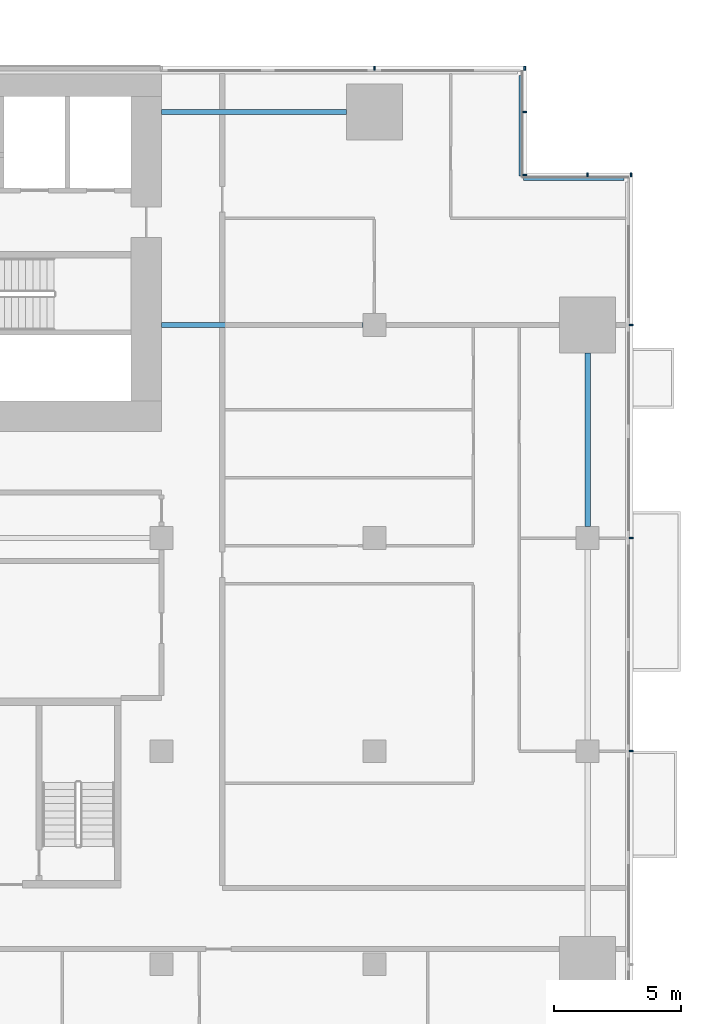
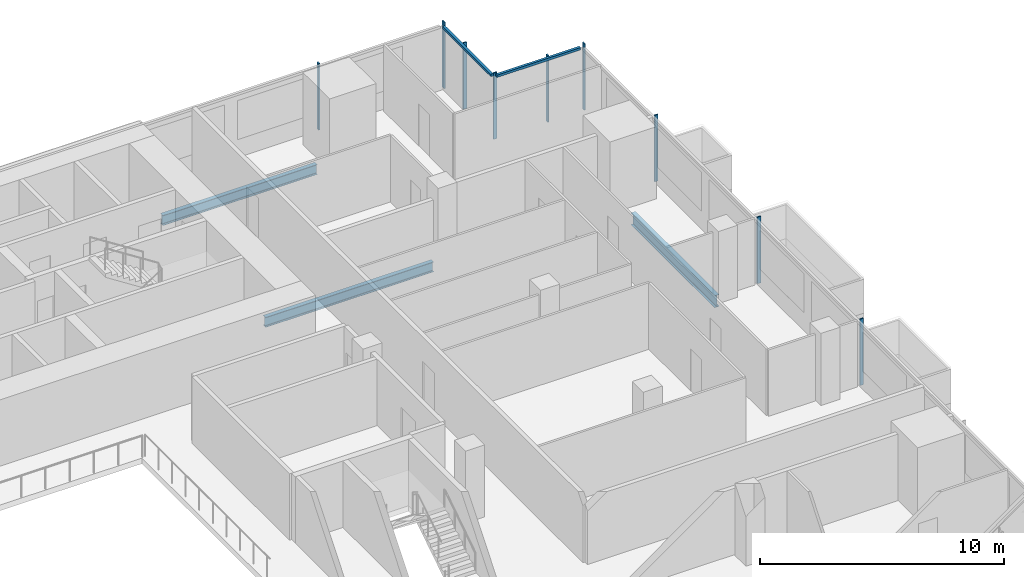
# One storey, part 13 of 29: 11 members, 3 beams, 4 elements without a shape of their own.
"""IFC4 building model written with IfcOpenShell, lengths in metres."""

from ifc_helpers import new_model, si_unit, direction, frame, origin, origin_2d, place, context, subcontext, project, spatial, rectangle, i_section, extrude, material, material_profile, profile_set, type_object, element, aggregate, save


model = new_model("IFC4")

# Units and contexts
model_context = context("Model", 3, precision=1e-05, world=origin(), true_north=direction((0.0, 1.0)))
body_context = subcontext(model_context, "Body", "Model", "MODEL_VIEW")
ifc_project = project(units=[si_unit("LENGTHUNIT", "METRE"), si_unit("AREAUNIT", "SQUARE_METRE"), si_unit("VOLUMEUNIT", "CUBIC_METRE"), si_unit("PLANEANGLEUNIT", "RADIAN"), si_unit("MASSUNIT", "GRAM", prefix="KILO")], contexts=[model_context])

# Site, building, storey
site_placement = place(None, origin())
site = spatial("IfcSite", under=ifc_project, at=site_placement, CompositionType="ELEMENT")
building_placement = place(site_placement, origin())
building = spatial("IfcBuilding", under=site, at=building_placement, Name="Saffron Gate Tower", CompositionType="ELEMENT")
storey_placement = place(building_placement, frame((0.0, 0.0, 48.0)))
storey = spatial("IfcBuildingStorey", under=building, at=storey_placement, Name="L10", CompositionType="ELEMENT", Elevation=48.0)

# Beams
ifc_material_1 = material(Name="Structural steel S355", Category="steel")
ifc_material_profile_1 = material_profile(ifc_material_1, i_section(OverallWidth=0.199951171875, OverallDepth=0.5, WebThickness=0.01025390625, FlangeThickness=0.01611328125, FilletRadius=0.02099609375, at=origin_2d()))
ifc_profile_set_1 = profile_set([ifc_material_profile_1], Name="Structural steel S355")
beam_type_1 = type_object("IfcBeamType", Name="B10 IPE 500", PredefinedType="BEAM", material=ifc_profile_set_1)
beam_1_placement = place(storey_placement, frame((116.550048828125, 65.39990234375, -0.530029296875), z_axis=(-1.0, 0.0, 0.0), x_axis=(0.0, -1.0, 0.0)))
element("IfcBeam", 1, at=beam_1_placement, inside=storey, type_object=beam_type_1, Name="B10 CORE TIE BEAM", PredefinedType="BEAM", context=body_context, shape_type="SweptSolid", body=[
    extrude(i_section(OverallWidth=0.199951171875, OverallDepth=0.5, WebThickness=0.01025390625, FlangeThickness=0.01611328125, FilletRadius=0.02099609375, at=origin_2d()), origin(), (0.0, 0.0, 1.0), 7.949951171875),
])
beam_2_placement = place(storey_placement, frame((115.89990234375, 73.800048828125, -0.530029296875), z_axis=(-1.0, 0.0, 0.0), x_axis=(0.0, -1.0, 0.0)))
element("IfcBeam", 2, at=beam_2_placement, inside=storey, type_object=beam_type_1, Name="B10 CORE TIE BEAM", PredefinedType="BEAM", context=body_context, shape_type="SweptSolid", body=[
    extrude(i_section(OverallWidth=0.199951171875, OverallDepth=0.5, WebThickness=0.01025390625, FlangeThickness=0.01611328125, FilletRadius=0.02099609375, at=origin_2d()), origin(), (0.0, 0.0, 1.0), 7.2998046875),
])
ifc_material_profile_2 = material_profile(ifc_material_1, i_section(OverallWidth=0.219970703125, OverallDepth=0.60009765625, WebThickness=0.011962890625, FlangeThickness=0.01904296875, FilletRadius=0.02392578125, at=origin_2d()))
ifc_profile_set_2 = profile_set([ifc_material_profile_2], Name="Structural steel S355")
beam_type_2 = type_object("IfcBeamType", Name="B16 IPE 600", PredefinedType="SPANDREL", material=ifc_profile_set_2)
beam_3_placement = place(storey_placement, frame((125.39990234375, 57.449951171875, -0.580078125), z_axis=(0.0, 1.0, 0.0), x_axis=(-1.0, 0.0, 0.0)))
element("IfcBeam", 3, at=beam_3_placement, inside=storey, type_object=beam_type_2, Name="B16 SPANDREL BEAM", PredefinedType="SPANDREL", context=body_context, shape_type="SweptSolid", body=[
    extrude(i_section(OverallWidth=0.219970703125, OverallDepth=0.60009765625, WebThickness=0.011962890625, FlangeThickness=0.01904296875, FilletRadius=0.02392578125, at=origin_2d()), origin(), (0.0, 0.0, 1.0), 6.85009765625),
])

# Curtain wall, members
ifc_material_2 = material(Name="Aluminium, bronze anodised", Category="aluminium")
curtain_wall_type_1 = type_object("IfcCurtainWallType", Name="CWS2 curtain wall side facades", PredefinedType="NOTDEFINED", material=ifc_material_2)
curtain_wall_1_placement = place(storey_placement, origin())
curtain_wall_1 = element("IfcCurtainWall", 4, at=curtain_wall_1_placement, inside=storey, type_object=curtain_wall_type_1, Name="CWS2 run 4", PredefinedType="NOTDEFINED")
ifc_material_profile_3 = material_profile(ifc_material_2, rectangle(XDim=0.159912109375, YDim=0.06005859375, at=origin_2d()))
ifc_profile_set_3 = profile_set([ifc_material_profile_3], Name="Aluminium, bronze anodised")
member_type_1 = type_object("IfcMemberType", Name="CWS2 mullion 60x160", PredefinedType="MULLION", material=ifc_profile_set_3)
member_1_placement = place(storey_placement, frame((127.1201171875, 48.60009765625, 0.0), z_axis=(0.0, 0.0, 1.0), x_axis=(-1.0, 0.0, 0.0)))
member_1 = element("IfcMember", 5, at=member_1_placement, type_object=member_type_1, Name="CWS2 mullion 3", PredefinedType="MULLION", context=body_context, shape_type="SweptSolid", body=[
    extrude(rectangle(XDim=0.159912109375, YDim=0.06005859375, at=origin_2d()), origin(), (0.0, 0.0, 1.0), 3.320068359375),
])
member_2_placement = place(storey_placement, frame((127.1201171875, 57.0, 0.0), z_axis=(0.0, 0.0, 1.0), x_axis=(-1.0, 0.0, 0.0)))
member_2 = element("IfcMember", 6, at=member_2_placement, type_object=member_type_1, Name="CWS2 mullion 4", PredefinedType="MULLION", context=body_context, shape_type="SweptSolid", body=[
    extrude(rectangle(XDim=0.159912109375, YDim=0.06005859375, at=origin_2d()), origin(), (0.0, 0.0, 1.0), 3.320068359375),
])
member_3_placement = place(storey_placement, frame((127.1201171875, 65.39990234375, 0.0), z_axis=(0.0, 0.0, 1.0), x_axis=(-1.0, 0.0, 0.0)))
member_3 = element("IfcMember", 7, at=member_3_placement, type_object=member_type_1, Name="CWS2 mullion 5", PredefinedType="MULLION", context=body_context, shape_type="SweptSolid", body=[
    extrude(rectangle(XDim=0.159912109375, YDim=0.06005859375, at=origin_2d()), origin(), (0.0, 0.0, 1.0), 3.320068359375),
])
aggregate(curtain_wall_1, [member_1, member_2, member_3])

curtain_wall_type_2 = type_object("IfcCurtainWallType", Name="CWS3 curtain wall rear facade", PredefinedType="NOTDEFINED", material=ifc_material_2)
curtain_wall_2_placement = place(storey_placement, origin())
curtain_wall_2 = element("IfcCurtainWall", 8, at=curtain_wall_2_placement, inside=storey, type_object=curtain_wall_type_2, Name="CWS3 run 7", PredefinedType="NOTDEFINED")
ifc_material_profile_4 = material_profile(ifc_material_2, rectangle(XDim=0.159912109375, YDim=0.070068359375, at=origin_2d()))
ifc_profile_set_4 = profile_set([ifc_material_profile_4], Name="Aluminium, bronze anodised")
member_type_2 = type_object("IfcMemberType", Name="CWS3 mullion 70x160", PredefinedType="MULLION", material=ifc_profile_set_4)
member_4_placement = place(storey_placement, frame((122.919921875, 75.52001953125, 0.0), z_axis=(0.0, 0.0, 1.0), x_axis=(0.0, -1.0, 0.0)))
member_4 = element("IfcMember", 9, at=member_4_placement, type_object=member_type_2, Name="CWS3 mullion 1", PredefinedType="MULLION", context=body_context, shape_type="SweptSolid", body=[
    extrude(rectangle(XDim=0.159912109375, YDim=0.070068359375, at=origin_2d()), origin(), (0.0, 0.0, 1.0), 3.320068359375),
])
member_5_placement = place(storey_placement, frame((117.0, 75.52001953125, 0.0), z_axis=(0.0, 0.0, 1.0), x_axis=(0.0, -1.0, 0.0)))
member_5 = element("IfcMember", 10, at=member_5_placement, type_object=member_type_2, Name="CWS3 mullion 2", PredefinedType="MULLION", context=body_context, shape_type="SweptSolid", body=[
    extrude(rectangle(XDim=0.159912109375, YDim=0.070068359375, at=origin_2d()), origin(), (0.0, 0.0, 1.0), 3.320068359375),
])
aggregate(curtain_wall_2, [member_4, member_5])

# Curtain wall, member
curtain_wall_type_3 = type_object("IfcCurtainWallType", Name="CWS4 curtain wall corner returns", PredefinedType="NOTDEFINED", material=ifc_material_2)
curtain_wall_3_placement = place(storey_placement, origin())
curtain_wall_3 = element("IfcCurtainWall", 11, at=curtain_wall_3_placement, inside=storey, type_object=curtain_wall_type_3, Name="CWS4 run 5", PredefinedType="NOTDEFINED")
ifc_material_profile_5 = material_profile(ifc_material_2, rectangle(XDim=0.1201171875, YDim=0.1201171875, at=origin_2d()))
ifc_profile_set_5 = profile_set([ifc_material_profile_5], Name="Aluminium, bronze anodised")
member_type_3 = type_object("IfcMemberType", Name="CWS4 head transom", PredefinedType="USERDEFINED", material=ifc_profile_set_5)
member_6_placement = place(storey_placement, frame((126.83203125, 71.152099609375, 3.260009765625), z_axis=(-1.0, 0.0, 0.0), x_axis=(0.0, -1.0, 0.0)))
member_6 = element("IfcMember", 12, at=member_6_placement, type_object=member_type_3, Name="CWS4 head transom", ObjectType="TRANSOM", PredefinedType="USERDEFINED", context=body_context, shape_type="SweptSolid", body=[
    extrude(rectangle(XDim=0.1201171875, YDim=0.1201171875, at=origin_2d()), origin(), (0.0, 0.0, 1.0), 3.9599609375),
])

curtain_wall_4_placement = place(storey_placement, origin())
curtain_wall_4 = element("IfcCurtainWall", 13, at=curtain_wall_4_placement, inside=storey, type_object=curtain_wall_type_3, Name="CWS4 run 6", PredefinedType="NOTDEFINED")
member_7_placement = place(storey_placement, frame((122.751953125, 71.27197265625, 3.260009765625), z_axis=(0.0, 1.0, 0.0), x_axis=(-1.0, 0.0, 0.0)))
member_7 = element("IfcMember", 14, at=member_7_placement, type_object=member_type_3, Name="CWS4 head transom", ObjectType="TRANSOM", PredefinedType="USERDEFINED", context=body_context, shape_type="SweptSolid", body=[
    extrude(rectangle(XDim=0.1201171875, YDim=0.1201171875, at=origin_2d()), origin(), (0.0, 0.0, 1.0), 3.9599609375),
])

# Member
ifc_material_profile_6 = material_profile(ifc_material_2, rectangle(XDim=0.159912109375, YDim=0.06005859375, at=origin_2d()))
ifc_profile_set_6 = profile_set([ifc_material_profile_6], Name="Aluminium, bronze anodised")
member_type_4 = type_object("IfcMemberType", Name="CWS4 mullion 60x160", PredefinedType="MULLION", material=ifc_profile_set_6)
member_8_placement = place(storey_placement, frame((127.1201171875, 71.320068359375, 0.0), z_axis=(0.0, 0.0, 1.0), x_axis=(0.0, -1.0, 0.0)))
member_8 = element("IfcMember", 15, at=member_8_placement, type_object=member_type_4, Name="CWS4 mullion 1", PredefinedType="MULLION", context=body_context, shape_type="SweptSolid", body=[
    extrude(rectangle(XDim=0.159912109375, YDim=0.06005859375, at=origin_2d()), origin(), (0.0, 0.0, 1.0), 3.320068359375),
])

member_9_placement = place(storey_placement, frame((125.39990234375, 71.320068359375, 0.0), z_axis=(0.0, 0.0, 1.0), x_axis=(0.0, -1.0, 0.0)))
member_9 = element("IfcMember", 16, at=member_9_placement, type_object=member_type_4, Name="CWS4 mullion 2", PredefinedType="MULLION", context=body_context, shape_type="SweptSolid", body=[
    extrude(rectangle(XDim=0.159912109375, YDim=0.06005859375, at=origin_2d()), origin(), (0.0, 0.0, 1.0), 3.320068359375),
])

aggregate(curtain_wall_3, [member_8, member_9, member_6])

member_10_placement = place(storey_placement, frame((122.919921875, 71.320068359375, 0.0), z_axis=(0.0, 0.0, 1.0), x_axis=(-1.0, 0.0, 0.0)))
member_10 = element("IfcMember", 17, at=member_10_placement, type_object=member_type_4, Name="CWS4 mullion 1", PredefinedType="MULLION", context=body_context, shape_type="SweptSolid", body=[
    extrude(rectangle(XDim=0.159912109375, YDim=0.06005859375, at=origin_2d()), origin(), (0.0, 0.0, 1.0), 3.320068359375),
])

member_11_placement = place(storey_placement, frame((122.919921875, 73.800048828125, 0.0), z_axis=(0.0, 0.0, 1.0), x_axis=(-1.0, 0.0, 0.0)))
member_11 = element("IfcMember", 18, at=member_11_placement, type_object=member_type_4, Name="CWS4 mullion 2", PredefinedType="MULLION", context=body_context, shape_type="SweptSolid", body=[
    extrude(rectangle(XDim=0.159912109375, YDim=0.06005859375, at=origin_2d()), origin(), (0.0, 0.0, 1.0), 3.320068359375),
])

aggregate(curtain_wall_4, [member_10, member_11, member_7])

save(model, "model.ifc")
